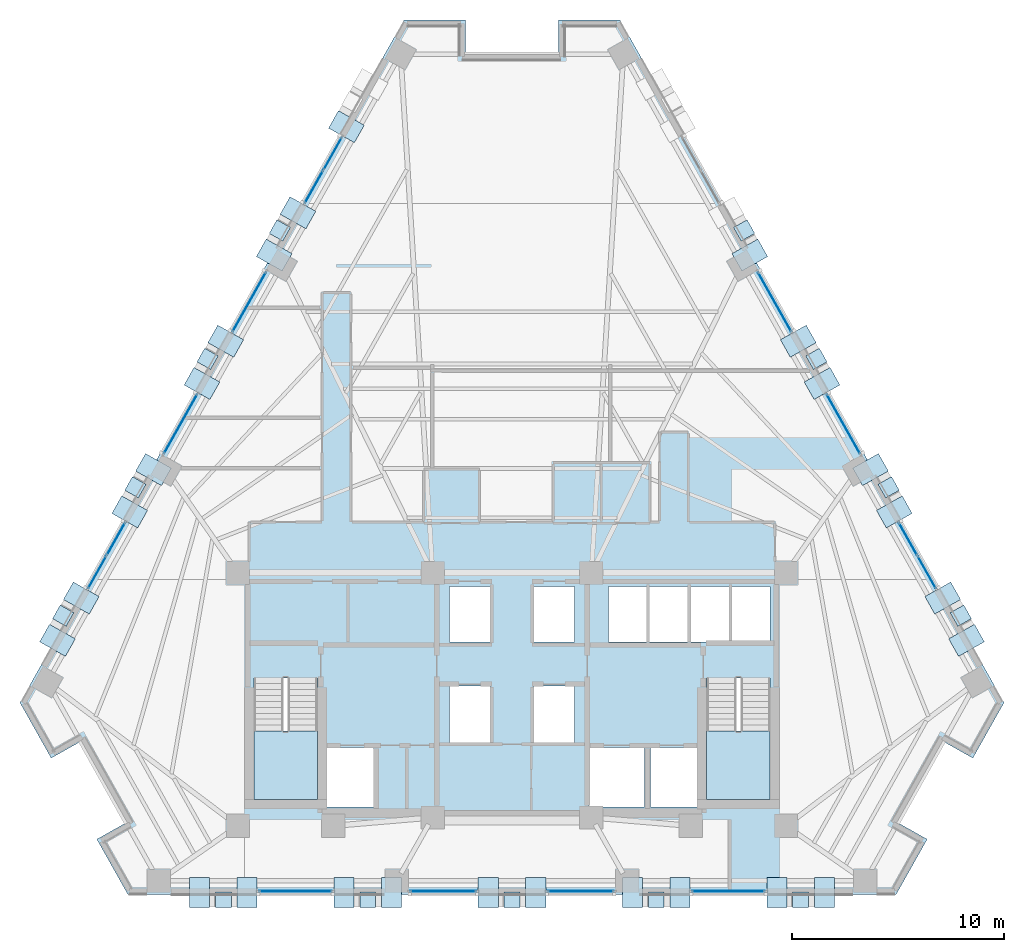
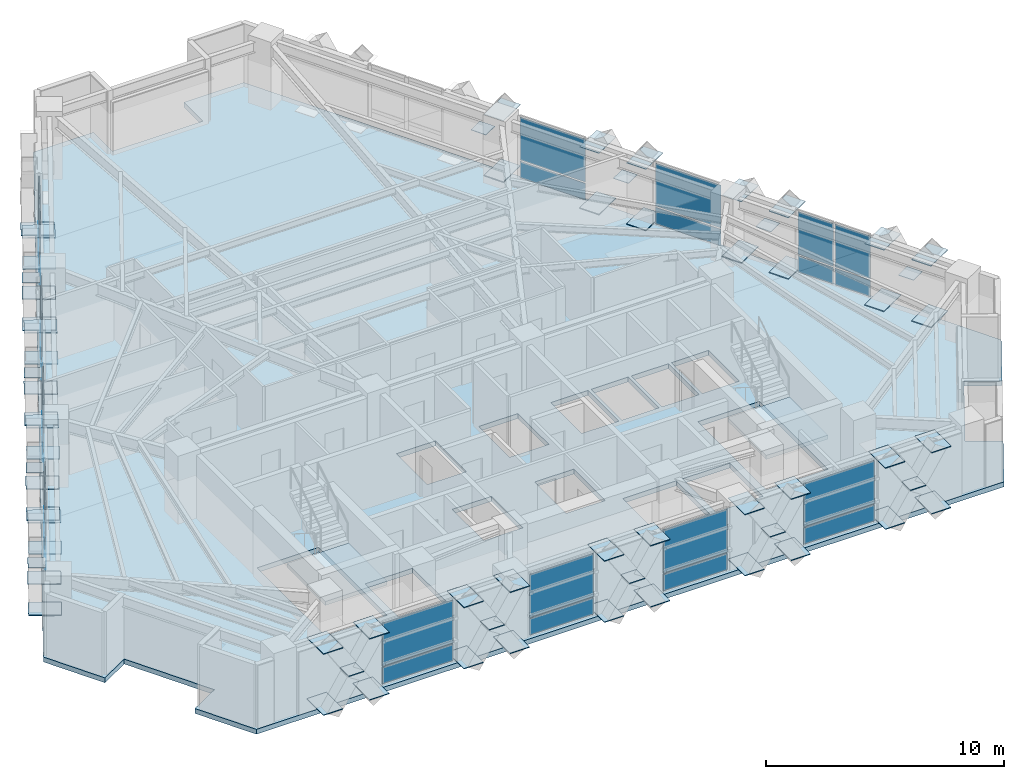
# One storey, part 6 of 14: 92 plates, 3 slabs, 13 elements without a shape of their own.
"""IFC4 building model written with IfcOpenShell, lengths in metres."""

from ifc_helpers import new_model, si_unit, direction, frame, origin, origin_2d, place, context, subcontext, project, spatial, polyline, rectangle, outline, extrude, material, layer, layer_set, type_object, element, aggregate, save


model = new_model("IFC4")

# Units and contexts
model_context = context("Model", 3, precision=1e-05, world=origin(), true_north=direction((0.0, 1.0)))
body_context = subcontext(model_context, "Body", "Model", "MODEL_VIEW")
ifc_project = project(units=[si_unit("LENGTHUNIT", "METRE"), si_unit("AREAUNIT", "SQUARE_METRE"), si_unit("VOLUMEUNIT", "CUBIC_METRE"), si_unit("PLANEANGLEUNIT", "RADIAN"), si_unit("MASSUNIT", "GRAM", prefix="KILO")], contexts=[model_context])

# Site, building, storey
site_placement = place(None, origin())
site = spatial("IfcSite", under=ifc_project, at=site_placement, CompositionType="ELEMENT")
building_placement = place(site_placement, origin())
building = spatial("IfcBuilding", under=site, at=building_placement, Name="Quenlor Broadcast Tower", CompositionType="ELEMENT")
storey_placement = place(building_placement, frame((0.0, 0.0, 123.0)))
storey = spatial("IfcBuildingStorey", under=building, at=storey_placement, Name="L33", CompositionType="ELEMENT", Elevation=123.0)

# Curtain wall, plates
ifc_material_1 = material(Name="Architectural Terracotta and Low-E Glazing", Category="masonry")
curtain_wall_type = type_object("IfcCurtainWallType", Name="Unitised Terracotta Curtain Wall System Z2", PredefinedType="NOTDEFINED", material=ifc_material_1)
curtain_wall_1_placement = place(storey_placement, origin())
curtain_wall_1 = element("IfcCurtainWall", 1, at=curtain_wall_1_placement, inside=storey, type_object=curtain_wall_type, Name="L33 Curtain Wall CW2 (L33-SA-G1)", PredefinedType="NOTDEFINED")
ifc_material_2 = material(Name="Double Glazed Low-E Solar Glass", Category="glass")
ifc_layer_1 = layer(ifc_material_2, 0.030029296875)
ifc_layer_set_1 = layer_set([ifc_layer_1], Name="CW2 Double Glazed Vision Panel 30")
plate_type_1 = type_object("IfcPlateType", Name="CW2 Double Glazed Vision Panel 30", PredefinedType="CURTAIN_PANEL", material=ifc_layer_set_1)
plate_1_placement = place(storey_placement, frame((10.226318359375, -19.840087890625, 0.074951171875), z_axis=(0.0, 0.0, 1.0), x_axis=(-1.0, 0.0, 0.0)))
plate_1 = element("IfcPlate", 2, at=plate_1_placement, type_object=plate_type_1, Name="CW2 panel 1.1", PredefinedType="CURTAIN_PANEL", context=body_context, shape_type="SweptSolid", body=[
    extrude(rectangle(XDim=3.435546875, YDim=0.030029296875, at=origin_2d()), origin(), (0.0, 0.0, 1.0), 0.83740234375),
])
plate_2_placement = place(storey_placement, frame((10.226318359375, -19.840087890625, 0.987548828125), z_axis=(0.0, 0.0, 1.0), x_axis=(-1.0, 0.0, 0.0)))
plate_2 = element("IfcPlate", 3, at=plate_2_placement, type_object=plate_type_1, Name="CW2 panel 1.2", PredefinedType="CURTAIN_PANEL", context=body_context, shape_type="SweptSolid", body=[
    extrude(rectangle(XDim=3.435546875, YDim=0.030029296875, at=origin_2d()), origin(), (0.0, 0.0, 1.0), 2.1875),
])
aggregate(curtain_wall_1, [plate_1, plate_2])

curtain_wall_2_placement = place(storey_placement, origin())
curtain_wall_2 = element("IfcCurtainWall", 4, at=curtain_wall_2_placement, inside=storey, type_object=curtain_wall_type, Name="L33 Curtain Wall CW2 (L33-SC-G1)", PredefinedType="NOTDEFINED")
plate_3_placement = place(storey_placement, frame((-10.226318359375, -19.840087890625, 0.074951171875), z_axis=(0.0, 0.0, 1.0), x_axis=(-1.0, 0.0, 0.0)))
plate_3 = element("IfcPlate", 5, at=plate_3_placement, type_object=plate_type_1, Name="CW2 panel 1.1", PredefinedType="CURTAIN_PANEL", context=body_context, shape_type="SweptSolid", body=[
    extrude(rectangle(XDim=3.435546875, YDim=0.030029296875, at=origin_2d()), origin(), (0.0, 0.0, 1.0), 0.83740234375),
])
plate_4_placement = place(storey_placement, frame((-10.226318359375, -19.840087890625, 0.987548828125), z_axis=(0.0, 0.0, 1.0), x_axis=(-1.0, 0.0, 0.0)))
plate_4 = element("IfcPlate", 6, at=plate_4_placement, type_object=plate_type_1, Name="CW2 panel 1.2", PredefinedType="CURTAIN_PANEL", context=body_context, shape_type="SweptSolid", body=[
    extrude(rectangle(XDim=3.435546875, YDim=0.030029296875, at=origin_2d()), origin(), (0.0, 0.0, 1.0), 2.1875),
])
aggregate(curtain_wall_2, [plate_3, plate_4])

curtain_wall_3_placement = place(storey_placement, origin())
curtain_wall_3 = element("IfcCurtainWall", 7, at=curtain_wall_3_placement, inside=storey, type_object=curtain_wall_type, Name="L33 Curtain Wall CW2 (L33-S-G1)", PredefinedType="NOTDEFINED")
plate_5_placement = place(storey_placement, frame((3.24462890625, -19.840087890625, 0.074951171875), z_axis=(0.0, 0.0, 1.0), x_axis=(-1.0, 0.0, 0.0)))
plate_5 = element("IfcPlate", 8, at=plate_5_placement, type_object=plate_type_1, Name="CW2 panel 1.1", PredefinedType="CURTAIN_PANEL", context=body_context, shape_type="SweptSolid", body=[
    extrude(rectangle(XDim=3.107177734375, YDim=0.030029296875, at=origin_2d()), origin(), (0.0, 0.0, 1.0), 0.83740234375),
])
plate_6_placement = place(storey_placement, frame((3.24462890625, -19.840087890625, 0.987548828125), z_axis=(0.0, 0.0, 1.0), x_axis=(-1.0, 0.0, 0.0)))
plate_6 = element("IfcPlate", 9, at=plate_6_placement, type_object=plate_type_1, Name="CW2 panel 1.2", PredefinedType="CURTAIN_PANEL", context=body_context, shape_type="SweptSolid", body=[
    extrude(rectangle(XDim=3.107177734375, YDim=0.030029296875, at=origin_2d()), origin(), (0.0, 0.0, 1.0), 2.1875),
])
aggregate(curtain_wall_3, [plate_5, plate_6])

curtain_wall_4_placement = place(storey_placement, origin())
curtain_wall_4 = element("IfcCurtainWall", 10, at=curtain_wall_4_placement, inside=storey, type_object=curtain_wall_type, Name="L33 Curtain Wall CW2 (L33-S-G2)", PredefinedType="NOTDEFINED")
plate_7_placement = place(storey_placement, frame((-3.24462890625, -19.840087890625, 0.074951171875), z_axis=(0.0, 0.0, 1.0), x_axis=(-1.0, 0.0, 0.0)))
plate_7 = element("IfcPlate", 11, at=plate_7_placement, type_object=plate_type_1, Name="CW2 panel 1.1", PredefinedType="CURTAIN_PANEL", context=body_context, shape_type="SweptSolid", body=[
    extrude(rectangle(XDim=3.107177734375, YDim=0.030029296875, at=origin_2d()), origin(), (0.0, 0.0, 1.0), 0.83740234375),
])
plate_8_placement = place(storey_placement, frame((-3.24462890625, -19.840087890625, 0.987548828125), z_axis=(0.0, 0.0, 1.0), x_axis=(-1.0, 0.0, 0.0)))
plate_8 = element("IfcPlate", 12, at=plate_8_placement, type_object=plate_type_1, Name="CW2 panel 1.2", PredefinedType="CURTAIN_PANEL", context=body_context, shape_type="SweptSolid", body=[
    extrude(rectangle(XDim=3.107177734375, YDim=0.030029296875, at=origin_2d()), origin(), (0.0, 0.0, 1.0), 2.1875),
])
aggregate(curtain_wall_4, [plate_7, plate_8])

curtain_wall_5_placement = place(storey_placement, origin())
curtain_wall_5 = element("IfcCurtainWall", 13, at=curtain_wall_5_placement, inside=storey, type_object=curtain_wall_type, Name="L33 Curtain Wall CW2 (L33-NEC-G1)", PredefinedType="NOTDEFINED")
plate_9_placement = place(storey_placement, frame((18.712646484375, -3.193359375, 0.074951171875), z_axis=(0.0, 0.0, 1.0), x_axis=(0.490276701018, -0.871566839915, 0.0)))
plate_9 = element("IfcPlate", 14, at=plate_9_placement, type_object=plate_type_1, Name="CW2 panel 1.1", PredefinedType="CURTAIN_PANEL", context=body_context, shape_type="SweptSolid", body=[
    extrude(rectangle(XDim=1.72998046875, YDim=0.030029296875, at=origin_2d()), origin(), (0.0, 0.0, 1.0), 0.83740234375),
])
plate_10_placement = place(storey_placement, frame((18.712646484375, -3.193359375, 0.987548828125), z_axis=(0.0, 0.0, 1.0), x_axis=(0.490276701018, -0.871566839915, 0.0)))
plate_10 = element("IfcPlate", 15, at=plate_10_placement, type_object=plate_type_1, Name="CW2 panel 1.2", PredefinedType="CURTAIN_PANEL", context=body_context, shape_type="SweptSolid", body=[
    extrude(rectangle(XDim=1.72998046875, YDim=0.030029296875, at=origin_2d()), origin(), (0.0, 0.0, 1.0), 2.1875),
])
plate_11_placement = place(storey_placement, frame((19.59765625, -4.7666015625, 0.074951171875), z_axis=(0.0, 0.0, 1.0), x_axis=(0.490276701018, -0.871566839915, 0.0)))
plate_11 = element("IfcPlate", 16, at=plate_11_placement, type_object=plate_type_1, Name="CW2 panel 2.1", PredefinedType="CURTAIN_PANEL", context=body_context, shape_type="SweptSolid", body=[
    extrude(rectangle(XDim=1.72998046875, YDim=0.030029296875, at=origin_2d()), origin(), (0.0, 0.0, 1.0), 0.83740234375),
])
plate_12_placement = place(storey_placement, frame((19.59765625, -4.7666015625, 0.987548828125), z_axis=(0.0, 0.0, 1.0), x_axis=(0.490276701018, -0.871566839915, 0.0)))
plate_12 = element("IfcPlate", 17, at=plate_12_placement, type_object=plate_type_1, Name="CW2 panel 2.2", PredefinedType="CURTAIN_PANEL", context=body_context, shape_type="SweptSolid", body=[
    extrude(rectangle(XDim=1.72998046875, YDim=0.030029296875, at=origin_2d()), origin(), (0.0, 0.0, 1.0), 2.1875),
])
aggregate(curtain_wall_5, [plate_9, plate_10, plate_11, plate_12])

curtain_wall_6_placement = place(storey_placement, origin())
curtain_wall_6 = element("IfcCurtainWall", 18, at=curtain_wall_6_placement, inside=storey, type_object=curtain_wall_type, Name="L33 Curtain Wall CW2 (L33-NE-G1)", PredefinedType="NOTDEFINED")
plate_13_placement = place(storey_placement, frame((12.412841796875, 8.00634765625, 0.074951171875), z_axis=(0.0, 0.0, 1.0), x_axis=(0.490261239636, -0.871575537123, 0.0)))
plate_13 = element("IfcPlate", 19, at=plate_13_placement, type_object=plate_type_1, Name="CW2 panel 1.1", PredefinedType="CURTAIN_PANEL", context=body_context, shape_type="SweptSolid", body=[
    extrude(rectangle(XDim=3.19287109375, YDim=0.030029296875, at=origin_2d()), origin(), (0.0, 0.0, 1.0), 0.83740234375),
])
plate_14_placement = place(storey_placement, frame((12.412841796875, 8.00634765625, 0.987548828125), z_axis=(0.0, 0.0, 1.0), x_axis=(0.490261239636, -0.871575537123, 0.0)))
plate_14 = element("IfcPlate", 20, at=plate_14_placement, type_object=plate_type_1, Name="CW2 panel 1.2", PredefinedType="CURTAIN_PANEL", context=body_context, shape_type="SweptSolid", body=[
    extrude(rectangle(XDim=3.19287109375, YDim=0.030029296875, at=origin_2d()), origin(), (0.0, 0.0, 1.0), 2.1875),
])
aggregate(curtain_wall_6, [plate_13, plate_14])

curtain_wall_7_placement = place(storey_placement, origin())
curtain_wall_7 = element("IfcCurtainWall", 21, at=curtain_wall_7_placement, inside=storey, type_object=curtain_wall_type, Name="L33 Curtain Wall CW2 (L33-NE-G2)", PredefinedType="NOTDEFINED")
plate_15_placement = place(storey_placement, frame((15.658203125, 2.23681640625, 0.074951171875), z_axis=(0.0, 0.0, 1.0), x_axis=(0.490261239636, -0.871575537123, 0.0)))
plate_15 = element("IfcPlate", 22, at=plate_15_placement, type_object=plate_type_1, Name="CW2 panel 1.1", PredefinedType="CURTAIN_PANEL", context=body_context, shape_type="SweptSolid", body=[
    extrude(rectangle(XDim=3.19287109375, YDim=0.030029296875, at=origin_2d()), origin(), (0.0, 0.0, 1.0), 0.83740234375),
])
plate_16_placement = place(storey_placement, frame((15.658203125, 2.23681640625, 0.987548828125), z_axis=(0.0, 0.0, 1.0), x_axis=(0.490261239636, -0.871575537123, 0.0)))
plate_16 = element("IfcPlate", 23, at=plate_16_placement, type_object=plate_type_1, Name="CW2 panel 1.2", PredefinedType="CURTAIN_PANEL", context=body_context, shape_type="SweptSolid", body=[
    extrude(rectangle(XDim=3.19287109375, YDim=0.030029296875, at=origin_2d()), origin(), (0.0, 0.0, 1.0), 2.1875),
])
aggregate(curtain_wall_7, [plate_15, plate_16])

curtain_wall_8_placement = place(storey_placement, origin())
curtain_wall_8 = element("IfcCurtainWall", 24, at=curtain_wall_8_placement, inside=storey, type_object=curtain_wall_type, Name="L33 Curtain Wall CW2 (L33-NWA-G1)", PredefinedType="NOTDEFINED")
plate_17_placement = place(storey_placement, frame((-19.59765625, -4.7666015625, 0.074951171875), z_axis=(0.0, 0.0, 1.0), x_axis=(0.490276701018, 0.871566839915, 0.0)))
plate_17 = element("IfcPlate", 25, at=plate_17_placement, type_object=plate_type_1, Name="CW2 panel 1.1", PredefinedType="CURTAIN_PANEL", context=body_context, shape_type="SweptSolid", body=[
    extrude(rectangle(XDim=1.72998046875, YDim=0.030029296875, at=origin_2d()), origin(), (0.0, 0.0, 1.0), 0.83740234375),
])
plate_18_placement = place(storey_placement, frame((-19.59765625, -4.7666015625, 0.987548828125), z_axis=(0.0, 0.0, 1.0), x_axis=(0.490276701018, 0.871566839915, 0.0)))
plate_18 = element("IfcPlate", 26, at=plate_18_placement, type_object=plate_type_1, Name="CW2 panel 1.2", PredefinedType="CURTAIN_PANEL", context=body_context, shape_type="SweptSolid", body=[
    extrude(rectangle(XDim=1.72998046875, YDim=0.030029296875, at=origin_2d()), origin(), (0.0, 0.0, 1.0), 2.1875),
])
plate_19_placement = place(storey_placement, frame((-18.712646484375, -3.193359375, 0.074951171875), z_axis=(0.0, 0.0, 1.0), x_axis=(0.490276701018, 0.871566839915, 0.0)))
plate_19 = element("IfcPlate", 27, at=plate_19_placement, type_object=plate_type_1, Name="CW2 panel 2.1", PredefinedType="CURTAIN_PANEL", context=body_context, shape_type="SweptSolid", body=[
    extrude(rectangle(XDim=1.72998046875, YDim=0.030029296875, at=origin_2d()), origin(), (0.0, 0.0, 1.0), 0.83740234375),
])
plate_20_placement = place(storey_placement, frame((-18.712646484375, -3.193359375, 0.987548828125), z_axis=(0.0, 0.0, 1.0), x_axis=(0.490276701018, 0.871566839915, 0.0)))
plate_20 = element("IfcPlate", 28, at=plate_20_placement, type_object=plate_type_1, Name="CW2 panel 2.2", PredefinedType="CURTAIN_PANEL", context=body_context, shape_type="SweptSolid", body=[
    extrude(rectangle(XDim=1.72998046875, YDim=0.030029296875, at=origin_2d()), origin(), (0.0, 0.0, 1.0), 2.1875),
])
aggregate(curtain_wall_8, [plate_17, plate_18, plate_19, plate_20])

curtain_wall_9_placement = place(storey_placement, origin())
curtain_wall_9 = element("IfcCurtainWall", 29, at=curtain_wall_9_placement, inside=storey, type_object=curtain_wall_type, Name="L33 Curtain Wall CW2 (L33-NWC-G1)", PredefinedType="NOTDEFINED")
plate_21_placement = place(storey_placement, frame((-9.3583984375, 13.4365234375, 0.074951171875), z_axis=(0.0, 0.0, 1.0), x_axis=(0.490265104904, 0.871573362898, 0.0)))
plate_21 = element("IfcPlate", 30, at=plate_21_placement, type_object=plate_type_1, Name="CW2 panel 1.1", PredefinedType="CURTAIN_PANEL", context=body_context, shape_type="SweptSolid", body=[
    extrude(rectangle(XDim=1.72998046875, YDim=0.030029296875, at=origin_2d()), origin(), (0.0, 0.0, 1.0), 0.83740234375),
])
plate_22_placement = place(storey_placement, frame((-9.3583984375, 13.4365234375, 0.987548828125), z_axis=(0.0, 0.0, 1.0), x_axis=(0.490265104904, 0.871573362898, 0.0)))
plate_22 = element("IfcPlate", 31, at=plate_22_placement, type_object=plate_type_1, Name="CW2 panel 1.2", PredefinedType="CURTAIN_PANEL", context=body_context, shape_type="SweptSolid", body=[
    extrude(rectangle(XDim=1.72998046875, YDim=0.030029296875, at=origin_2d()), origin(), (0.0, 0.0, 1.0), 2.1875),
])
plate_23_placement = place(storey_placement, frame((-8.473388671875, 15.009765625, 0.074951171875), z_axis=(0.0, 0.0, 1.0), x_axis=(0.490265104904, 0.871573362898, 0.0)))
plate_23 = element("IfcPlate", 32, at=plate_23_placement, type_object=plate_type_1, Name="CW2 panel 2.1", PredefinedType="CURTAIN_PANEL", context=body_context, shape_type="SweptSolid", body=[
    extrude(rectangle(XDim=1.72998046875, YDim=0.030029296875, at=origin_2d()), origin(), (0.0, 0.0, 1.0), 0.83740234375),
])
plate_24_placement = place(storey_placement, frame((-8.473388671875, 15.009765625, 0.987548828125), z_axis=(0.0, 0.0, 1.0), x_axis=(0.490265104904, 0.871573362898, 0.0)))
plate_24 = element("IfcPlate", 33, at=plate_24_placement, type_object=plate_type_1, Name="CW2 panel 2.2", PredefinedType="CURTAIN_PANEL", context=body_context, shape_type="SweptSolid", body=[
    extrude(rectangle(XDim=1.72998046875, YDim=0.030029296875, at=origin_2d()), origin(), (0.0, 0.0, 1.0), 2.1875),
])
aggregate(curtain_wall_9, [plate_21, plate_22, plate_23, plate_24])

curtain_wall_10_placement = place(storey_placement, origin())
curtain_wall_10 = element("IfcCurtainWall", 34, at=curtain_wall_10_placement, inside=storey, type_object=curtain_wall_type, Name="L33 Curtain Wall CW2 (L33-NW-G1)", PredefinedType="NOTDEFINED")
plate_25_placement = place(storey_placement, frame((-15.658203125, 2.23681640625, 0.074951171875), z_axis=(0.0, 0.0, 1.0), x_axis=(0.490261239636, 0.871575537123, 0.0)))
plate_25 = element("IfcPlate", 35, at=plate_25_placement, type_object=plate_type_1, Name="CW2 panel 1.1", PredefinedType="CURTAIN_PANEL", context=body_context, shape_type="SweptSolid", body=[
    extrude(rectangle(XDim=3.19287109375, YDim=0.030029296875, at=origin_2d()), origin(), (0.0, 0.0, 1.0), 0.83740234375),
])
plate_26_placement = place(storey_placement, frame((-15.658203125, 2.23681640625, 0.987548828125), z_axis=(0.0, 0.0, 1.0), x_axis=(0.490261239636, 0.871575537123, 0.0)))
plate_26 = element("IfcPlate", 36, at=plate_26_placement, type_object=plate_type_1, Name="CW2 panel 1.2", PredefinedType="CURTAIN_PANEL", context=body_context, shape_type="SweptSolid", body=[
    extrude(rectangle(XDim=3.19287109375, YDim=0.030029296875, at=origin_2d()), origin(), (0.0, 0.0, 1.0), 2.1875),
])
aggregate(curtain_wall_10, [plate_25, plate_26])

curtain_wall_11_placement = place(storey_placement, origin())
curtain_wall_11 = element("IfcCurtainWall", 37, at=curtain_wall_11_placement, inside=storey, type_object=curtain_wall_type, Name="L33 Curtain Wall CW2 (L33-NW-G2)", PredefinedType="NOTDEFINED")
plate_27_placement = place(storey_placement, frame((-12.412841796875, 8.00634765625, 0.074951171875), z_axis=(0.0, 0.0, 1.0), x_axis=(0.490261239636, 0.871575537123, 0.0)))
plate_27 = element("IfcPlate", 38, at=plate_27_placement, type_object=plate_type_1, Name="CW2 panel 1.1", PredefinedType="CURTAIN_PANEL", context=body_context, shape_type="SweptSolid", body=[
    extrude(rectangle(XDim=3.19287109375, YDim=0.030029296875, at=origin_2d()), origin(), (0.0, 0.0, 1.0), 0.83740234375),
])
plate_28_placement = place(storey_placement, frame((-12.412841796875, 8.00634765625, 0.987548828125), z_axis=(0.0, 0.0, 1.0), x_axis=(0.490261239636, 0.871575537123, 0.0)))
plate_28 = element("IfcPlate", 39, at=plate_28_placement, type_object=plate_type_1, Name="CW2 panel 1.2", PredefinedType="CURTAIN_PANEL", context=body_context, shape_type="SweptSolid", body=[
    extrude(rectangle(XDim=3.19287109375, YDim=0.030029296875, at=origin_2d()), origin(), (0.0, 0.0, 1.0), 2.1875),
])
aggregate(curtain_wall_11, [plate_27, plate_28])

# Plates
ifc_material_3 = material(Name="Steel S355", Category="steel")
ifc_layer_2 = layer(ifc_material_3, 0.028076171875)
ifc_layer_set_2 = layer_set([ifc_layer_2], Name="Perimeter Lattice Node Steel S355 Cap Plate 740x740x28")
plate_type_2 = type_object("IfcPlateType", Name="Perimeter Lattice Node Steel S355 Cap Plate 740x740x28", PredefinedType="USERDEFINED", material=ifc_layer_set_2)
for number, where, z_axis, x_axis, name in (
    (40, (13.63525390625, -20.235107421875, 1.61572265625), (0.0, 0.0, 1.0), (-1.0, 0.0, 0.0), "L33 Diamond Lattice Crossing Node S-C1"),
    (41, (6.817626953125, -20.235107421875, 1.61572265625), (0.0, 0.0, 1.0), (-1.0, 0.0, 0.0), "L33 Diamond Lattice Crossing Node S-C2"),
    (42, (0.0, -20.235107421875, 1.61572265625), (0.0, 0.0, 1.0), (-1.0, 0.0, 0.0), "L33 Diamond Lattice Crossing Node S-C3"),
    (43, (-6.817626953125, -20.235107421875, 1.61572265625), (0.0, 0.0, 1.0), (-1.0, 0.0, 0.0), "L33 Diamond Lattice Crossing Node S-C4"),
    (44, (-13.63525390625, -20.235107421875, 1.61572265625), (0.0, 0.0, 1.0), (-1.0, 0.0, 0.0), "L33 Diamond Lattice Crossing Node S-C5"),
    (45, (10.966796875, 11.383056640625, 1.61572265625), (0.0, 0.0, 1.0), (0.490295412055, -0.871556314255, 0.0), "L33 Diamond Lattice Crossing Node NE-C2"),
    (46, (14.3798828125, 5.315185546875, 1.61572265625), (0.0, 0.0, 1.0), (0.490295412055, -0.871556314255, 0.0), "L33 Diamond Lattice Crossing Node NE-C3"),
    (47, (17.79296875, -0.75244140625, 1.61572265625), (0.0, 0.0, 1.0), (0.490295412055, -0.871556314255, 0.0), "L33 Diamond Lattice Crossing Node NE-C4"),
    (48, (21.2060546875, -6.820068359375, 1.61572265625), (0.0, 0.0, 1.0), (0.490295412055, -0.871556314255, 0.0), "L33 Diamond Lattice Crossing Node NE-C5"),
    (49, (-21.2060546875, -6.820068359375, 1.61572265625), (0.0, 0.0, 1.0), (0.490295412055, 0.871556314255, 0.0), "L33 Diamond Lattice Crossing Node NW-C1"),
    (50, (-17.79296875, -0.75244140625, 1.61572265625), (0.0, 0.0, 1.0), (0.490295412055, 0.871556314255, 0.0), "L33 Diamond Lattice Crossing Node NW-C2"),
    (51, (-14.3798828125, 5.315185546875, 1.61572265625), (0.0, 0.0, 1.0), (0.490295412055, 0.871556314255, 0.0), "L33 Diamond Lattice Crossing Node NW-C3"),
    (52, (-10.966796875, 11.383056640625, 1.61572265625), (0.0, 0.0, 1.0), (0.490295412055, 0.871556314255, 0.0), "L33 Diamond Lattice Crossing Node NW-C4"),
):
    element("IfcPlate", number, at=place(storey_placement, frame(where, z_axis=z_axis, x_axis=x_axis)), inside=storey, type_object=plate_type_2, Name=name, ObjectType="CAP PLATE", PredefinedType="USERDEFINED", context=body_context, shape_type="SweptSolid", body=[
        extrude(rectangle(XDim=0.739990234375, YDim=0.739990234375, at=origin_2d()), origin(), (0.0, 0.0, 1.0), 0.028076171875),
    ])

# Stair, slab
ifc_material_4 = material(Name="Precast concrete C40/50", Category="concrete")
stair_type = type_object("IfcStairType", Name="Precast Concrete C40/50 Dogleg Stair H350", PredefinedType="HALF_TURN_STAIR", material=ifc_material_4)
stair_1_placement = place(storey_placement, origin())
stair_1 = element("IfcStair", 53, at=stair_1_placement, inside=storey, type_object=stair_type, Name="L33 West Core Fire-Isolated Exit Stair ST-1", PredefinedType="HALF_TURN_STAIR")
ifc_material_5 = material(Name="Precast concrete C40/50", Category="concrete")
ifc_layer_3 = layer(ifc_material_5, 0.199951171875)
ifc_layer_set_3 = layer_set([ifc_layer_3], Name="Precast Concrete C40/50 Stair Landing Slab 200")
slab_type_1 = type_object("IfcSlabType", Name="Precast Concrete C40/50 Stair Landing Slab 200", PredefinedType="LANDING", material=ifc_layer_set_3)
slab_1_placement = place(storey_placement, frame((0.0, 0.0, 1.550048828125)))
slab_1 = element("IfcSlab", 54, at=slab_1_placement, type_object=slab_type_1, Name="ST-1 landing 1", PredefinedType="LANDING", context=body_context, shape_type="SweptSolid", body=[
    extrude(outline(polyline([(-12.199951171875, -12.27001953125), (-12.199951171875, -15.5), (-9.199951171875, -15.5), (-9.199951171875, -12.27001953125), (-12.199951171875, -12.27001953125)])), origin(), (0.0, 0.0, 1.0), 0.199951171875),
])
aggregate(stair_1, [slab_1])

stair_2_placement = place(storey_placement, origin())
stair_2 = element("IfcStair", 55, at=stair_2_placement, inside=storey, type_object=stair_type, Name="L33 East Core Fire-Isolated Exit Stair ST-2", PredefinedType="HALF_TURN_STAIR")
slab_2_placement = place(storey_placement, frame((0.0, 0.0, 1.550048828125)))
slab_2 = element("IfcSlab", 56, at=slab_2_placement, type_object=slab_type_1, Name="ST-2 landing 1", PredefinedType="LANDING", context=body_context, shape_type="SweptSolid", body=[
    extrude(outline(polyline([(9.199951171875, -12.27001953125), (9.199951171875, -15.5), (12.199951171875, -15.5), (12.199951171875, -12.27001953125), (9.199951171875, -12.27001953125)])), origin(), (0.0, 0.0, 1.0), 0.199951171875),
])
aggregate(stair_2, [slab_2])

# Slab
ifc_material_6 = material(Name="Concrete C40/50", Category="concrete")
ifc_layer_4 = layer(ifc_material_6, 0.25)
ifc_layer_set_4 = layer_set([ifc_layer_4], Name="Tower Composite Concrete C40/50 Slab 250")
slab_type_2 = type_object("IfcSlabType", Name="Tower Composite Concrete C40/50 Slab 250", PredefinedType="FLOOR", material=ifc_layer_set_4)
slab_3_placement = place(storey_placement, frame((0.0, 0.0, -0.25)))
element("IfcSlab", 57, at=slab_3_placement, inside=storey, type_object=slab_type_2, Name="L33 Structural Floor Slab", PredefinedType="FLOOR", context=body_context, shape_type="SweptSolid", body=[
    extrude(outline(polyline([(18.14404296875, -20.0), (19.616943359375, -17.381591796875), (18.222412109375, -16.596923828125), (20.379638671875, -12.76220703125), (21.774169921875, -13.54638671875), (23.2470703125, -10.927978515625), (5.10302734375, 21.327880859375), (2.199951171875, 21.327880859375), (2.199951171875, 19.72802734375), (-2.199951171875, 19.72802734375), (-2.199951171875, 21.327880859375), (-5.10302734375, 21.327880859375), (-23.2470703125, -10.927978515625), (-21.774169921875, -13.54638671875), (-20.379638671875, -12.76220703125), (-18.222412109375, -16.596923828125), (-19.616943359375, -17.381591796875), (-18.14404296875, -20.0), (18.14404296875, -20.0)]), holes=[polyline([(-12.199951171875, -9.758056640625), (-12.199951171875, -15.5), (-9.199951171875, -15.5), (-9.199951171875, -9.758056640625), (-12.199951171875, -9.758056640625)]), polyline([(9.199951171875, -9.758056640625), (9.199951171875, -15.5), (12.199951171875, -15.5), (12.199951171875, -9.758056640625), (9.199951171875, -9.758056640625)]), polyline([(-2.949951171875, -8.050048828125), (-1.050048828125, -8.050048828125), (-1.050048828125, -5.449951171875), (-2.949951171875, -5.449951171875), (-2.949951171875, -8.050048828125)]), polyline([(1.050048828125, -8.050048828125), (2.949951171875, -8.050048828125), (2.949951171875, -5.449951171875), (1.050048828125, -5.449951171875), (1.050048828125, -8.050048828125)]), polyline([(-2.949951171875, -12.800048828125), (-1.050048828125, -12.800048828125), (-1.050048828125, -10.14990234375), (-2.949951171875, -10.14990234375), (-2.949951171875, -12.800048828125)]), polyline([(1.050048828125, -12.800048828125), (2.949951171875, -12.800048828125), (2.949951171875, -10.14990234375), (1.050048828125, -10.14990234375), (1.050048828125, -12.800048828125)]), polyline([(4.550048828125, -8.050048828125), (6.35009765625, -8.050048828125), (6.35009765625, -5.449951171875), (4.550048828125, -5.449951171875), (4.550048828125, -8.050048828125)]), polyline([(6.5, -8.050048828125), (8.300048828125, -8.050048828125), (8.300048828125, -5.449951171875), (6.5, -5.449951171875), (6.5, -8.050048828125)]), polyline([(8.449951171875, -8.050048828125), (10.25, -8.050048828125), (10.25, -5.449951171875), (8.449951171875, -5.449951171875), (8.449951171875, -8.050048828125)]), polyline([(10.39990234375, -8.050048828125), (12.199951171875, -8.050048828125), (12.199951171875, -5.449951171875), (10.39990234375, -5.449951171875), (10.39990234375, -8.050048828125)]), polyline([(-8.85009765625, -15.85009765625), (-6.550048828125, -15.85009765625), (-6.550048828125, -13.050048828125), (-8.85009765625, -13.050048828125), (-8.85009765625, -15.85009765625)]), polyline([(6.550048828125, -15.85009765625), (8.85009765625, -15.85009765625), (8.85009765625, -13.050048828125), (6.550048828125, -13.050048828125), (6.550048828125, -15.85009765625)]), polyline([(3.64990234375, -15.85009765625), (6.25, -15.85009765625), (6.25, -13.050048828125), (3.64990234375, -13.050048828125), (3.64990234375, -15.85009765625)])]), origin(), (0.0, 0.0, 1.0), 0.25),
])

# Plates
ifc_material_7 = material(Name="Steel S355", Category="steel")
ifc_layer_5 = layer(ifc_material_7, 0.035888671875)
ifc_layer_set_5 = layer_set([ifc_layer_5], Name="Transfer Truss Steel S355 Gusset Node Plate 1400x950x36")
plate_type_3 = type_object("IfcPlateType", Name="Transfer Truss Steel S355 Gusset Node Plate 1400x950x36", PredefinedType="SHEET", material=ifc_layer_set_5)
for number, where, z_axis, x_axis, name in (
    (58, (14.7578125, -19.89990234375, 0.0419921875), (0.0, 0.0, 1.0), (0.0, -1.0, 0.0), "L33 Lattice Tie Gusset Node S-B1"),
    (59, (12.5126953125, -19.89990234375, 3.18212890625), (0.0, 0.0, 1.0), (0.0, -1.0, 0.0), "L33 Lattice Tie Gusset Node S-T2"),
    (60, (12.5126953125, -19.89990234375, 0.0419921875), (0.0, 0.0, 1.0), (0.0, -1.0, 0.0), "L33 Lattice Tie Gusset Node S-B2"),
    (61, (14.7578125, -19.89990234375, 3.18212890625), (0.0, 0.0, 1.0), (0.0, -1.0, 0.0), "L33 Lattice Tie Gusset Node S-T1"),
    (62, (7.940185546875, -19.89990234375, 0.0419921875), (0.0, 0.0, 1.0), (0.0, -1.0, 0.0), "L33 Lattice Tie Gusset Node S-B4"),
    (63, (5.695068359375, -19.89990234375, 3.18212890625), (0.0, 0.0, 1.0), (0.0, -1.0, 0.0), "L33 Lattice Tie Gusset Node S-T5"),
    (64, (5.695068359375, -19.89990234375, 0.0419921875), (0.0, 0.0, 1.0), (0.0, -1.0, 0.0), "L33 Lattice Tie Gusset Node S-B5"),
    (65, (7.940185546875, -19.89990234375, 3.18212890625), (0.0, 0.0, 1.0), (0.0, -1.0, 0.0), "L33 Lattice Tie Gusset Node S-T4"),
    (66, (1.12255859375, -19.89990234375, 0.0419921875), (0.0, 0.0, 1.0), (0.0, -1.0, 0.0), "L33 Lattice Tie Gusset Node S-B7"),
    (67, (-1.12255859375, -19.89990234375, 3.18212890625), (0.0, 0.0, 1.0), (0.0, -1.0, 0.0), "L33 Lattice Tie Gusset Node S-T8"),
    (68, (-1.12255859375, -19.89990234375, 0.0419921875), (0.0, 0.0, 1.0), (0.0, -1.0, 0.0), "L33 Lattice Tie Gusset Node S-B8"),
    (69, (1.12255859375, -19.89990234375, 3.18212890625), (0.0, 0.0, 1.0), (0.0, -1.0, 0.0), "L33 Lattice Tie Gusset Node S-T7"),
    (70, (-5.695068359375, -19.89990234375, 0.0419921875), (0.0, 0.0, 1.0), (0.0, -1.0, 0.0), "L33 Lattice Tie Gusset Node S-B10"),
    (71, (-7.940185546875, -19.89990234375, 3.18212890625), (0.0, 0.0, 1.0), (0.0, -1.0, 0.0), "L33 Lattice Tie Gusset Node S-T11"),
    (72, (-7.940185546875, -19.89990234375, 0.0419921875), (0.0, 0.0, 1.0), (0.0, -1.0, 0.0), "L33 Lattice Tie Gusset Node S-B11"),
    (73, (-5.695068359375, -19.89990234375, 3.18212890625), (0.0, 0.0, 1.0), (0.0, -1.0, 0.0), "L33 Lattice Tie Gusset Node S-T10"),
    (74, (-12.5126953125, -19.89990234375, 0.0419921875), (0.0, 0.0, 1.0), (0.0, -1.0, 0.0), "L33 Lattice Tie Gusset Node S-B13"),
    (75, (-14.7578125, -19.89990234375, 3.18212890625), (0.0, 0.0, 1.0), (0.0, -1.0, 0.0), "L33 Lattice Tie Gusset Node S-T14"),
    (76, (-14.7578125, -19.89990234375, 0.0419921875), (0.0, 0.0, 1.0), (0.0, -1.0, 0.0), "L33 Lattice Tie Gusset Node S-B14"),
    (77, (-12.5126953125, -19.89990234375, 3.18212890625), (0.0, 0.0, 1.0), (0.0, -1.0, 0.0), "L33 Lattice Tie Gusset Node S-T13"),
    (78, (11.23681640625, 10.219482421875, 3.18212890625), (0.0, 0.0, 1.0), (0.871556314255, 0.490295412055, 0.0), "L33 Lattice Tie Gusset Node NE-T5"),
    (79, (11.23681640625, 10.219482421875, 0.0419921875), (0.0, 0.0, 1.0), (0.871556314255, 0.490295412055, 0.0), "L33 Lattice Tie Gusset Node NE-B5"),
    (80, (13.52587890625, 6.150146484375, 0.0419921875), (0.0, 0.0, 1.0), (0.871556314255, 0.490295412055, 0.0), "L33 Lattice Tie Gusset Node NE-B7"),
    (81, (14.64990234375, 4.15185546875, 3.18212890625), (0.0, 0.0, 1.0), (0.871556314255, 0.490295412055, 0.0), "L33 Lattice Tie Gusset Node NE-T8"),
    (82, (14.64990234375, 4.15185546875, 0.0419921875), (0.0, 0.0, 1.0), (0.871556314255, 0.490295412055, 0.0), "L33 Lattice Tie Gusset Node NE-B8"),
    (83, (13.52587890625, 6.150146484375, 3.18212890625), (0.0, 0.0, 1.0), (0.871556314255, 0.490295412055, 0.0), "L33 Lattice Tie Gusset Node NE-T7"),
    (84, (16.93896484375, 0.08251953125, 0.0419921875), (0.0, 0.0, 1.0), (0.871556314255, 0.490295412055, 0.0), "L33 Lattice Tie Gusset Node NE-B10"),
    (85, (18.06298828125, -1.915771484375, 3.18212890625), (0.0, 0.0, 1.0), (0.871556314255, 0.490295412055, 0.0), "L33 Lattice Tie Gusset Node NE-T11"),
    (86, (18.06298828125, -1.915771484375, 0.0419921875), (0.0, 0.0, 1.0), (0.871556314255, 0.490295412055, 0.0), "L33 Lattice Tie Gusset Node NE-B11"),
    (87, (16.93896484375, 0.08251953125, 3.18212890625), (0.0, 0.0, 1.0), (0.871556314255, 0.490295412055, 0.0), "L33 Lattice Tie Gusset Node NE-T10"),
    (88, (20.351806640625, -5.985107421875, 0.0419921875), (0.0, 0.0, 1.0), (0.871556314255, 0.490295412055, 0.0), "L33 Lattice Tie Gusset Node NE-B13"),
    (89, (21.47607421875, -7.9833984375, 3.18212890625), (0.0, 0.0, 1.0), (0.871556314255, 0.490295412055, 0.0), "L33 Lattice Tie Gusset Node NE-T14"),
    (90, (21.47607421875, -7.9833984375, 0.0419921875), (0.0, 0.0, 1.0), (0.871556314255, 0.490295412055, 0.0), "L33 Lattice Tie Gusset Node NE-B14"),
    (91, (20.351806640625, -5.985107421875, 3.18212890625), (0.0, 0.0, 1.0), (0.871556314255, 0.490295412055, 0.0), "L33 Lattice Tie Gusset Node NE-T13"),
    (92, (-21.47607421875, -7.9833984375, 0.0419921875), (0.0, 0.0, 1.0), (-0.871556314255, 0.490295412055, 0.0), "L33 Lattice Tie Gusset Node NW-B1"),
    (93, (-20.351806640625, -5.985107421875, 3.18212890625), (0.0, 0.0, 1.0), (-0.871556314255, 0.490295412055, 0.0), "L33 Lattice Tie Gusset Node NW-T2"),
    (94, (-20.351806640625, -5.985107421875, 0.0419921875), (0.0, 0.0, 1.0), (-0.871556314255, 0.490295412055, 0.0), "L33 Lattice Tie Gusset Node NW-B2"),
    (95, (-21.47607421875, -7.9833984375, 3.18212890625), (0.0, 0.0, 1.0), (-0.871556314255, 0.490295412055, 0.0), "L33 Lattice Tie Gusset Node NW-T1"),
    (96, (-18.06298828125, -1.915771484375, 0.0419921875), (0.0, 0.0, 1.0), (-0.871556314255, 0.490295412055, 0.0), "L33 Lattice Tie Gusset Node NW-B4"),
    (97, (-16.93896484375, 0.08251953125, 3.18212890625), (0.0, 0.0, 1.0), (-0.871556314255, 0.490295412055, 0.0), "L33 Lattice Tie Gusset Node NW-T5"),
    (98, (-16.93896484375, 0.08251953125, 0.0419921875), (0.0, 0.0, 1.0), (-0.871556314255, 0.490295412055, 0.0), "L33 Lattice Tie Gusset Node NW-B5"),
    (99, (-18.06298828125, -1.915771484375, 3.18212890625), (0.0, 0.0, 1.0), (-0.871556314255, 0.490295412055, 0.0), "L33 Lattice Tie Gusset Node NW-T4"),
    (100, (-14.64990234375, 4.15185546875, 0.0419921875), (0.0, 0.0, 1.0), (-0.871556314255, 0.490295412055, 0.0), "L33 Lattice Tie Gusset Node NW-B7"),
    (101, (-13.52587890625, 6.150146484375, 3.18212890625), (0.0, 0.0, 1.0), (-0.871556314255, 0.490295412055, 0.0), "L33 Lattice Tie Gusset Node NW-T8"),
    (102, (-13.52587890625, 6.150146484375, 0.0419921875), (0.0, 0.0, 1.0), (-0.871556314255, 0.490295412055, 0.0), "L33 Lattice Tie Gusset Node NW-B8"),
    (103, (-14.64990234375, 4.15185546875, 3.18212890625), (0.0, 0.0, 1.0), (-0.871556314255, 0.490295412055, 0.0), "L33 Lattice Tie Gusset Node NW-T7"),
    (104, (-11.23681640625, 10.219482421875, 0.0419921875), (0.0, 0.0, 1.0), (-0.871556314255, 0.490295412055, 0.0), "L33 Lattice Tie Gusset Node NW-B10"),
    (105, (-10.11279296875, 12.218017578125, 3.18212890625), (0.0, 0.0, 1.0), (-0.871556314255, 0.490295412055, 0.0), "L33 Lattice Tie Gusset Node NW-T11"),
    (106, (-10.11279296875, 12.218017578125, 0.0419921875), (0.0, 0.0, 1.0), (-0.871556314255, 0.490295412055, 0.0), "L33 Lattice Tie Gusset Node NW-B11"),
    (107, (-11.23681640625, 10.219482421875, 3.18212890625), (0.0, 0.0, 1.0), (-0.871556314255, 0.490295412055, 0.0), "L33 Lattice Tie Gusset Node NW-T10"),
    (108, (-7.823486328125, 16.287353515625, 0.0419921875), (0.0, 0.0, 1.0), (-0.871556314255, 0.490295412055, 0.0), "L33 Lattice Tie Gusset Node NW-B13"),
):
    element("IfcPlate", number, at=place(storey_placement, frame(where, z_axis=z_axis, x_axis=x_axis)), inside=storey, type_object=plate_type_3, Name=name, PredefinedType="SHEET", context=body_context, shape_type="SweptSolid", body=[
        extrude(rectangle(XDim=1.39990234375, YDim=0.949951171875, at=origin_2d()), origin(), (0.0, 0.0, 1.0), 0.035888671875),
    ])

save(model, "model.ifc")
